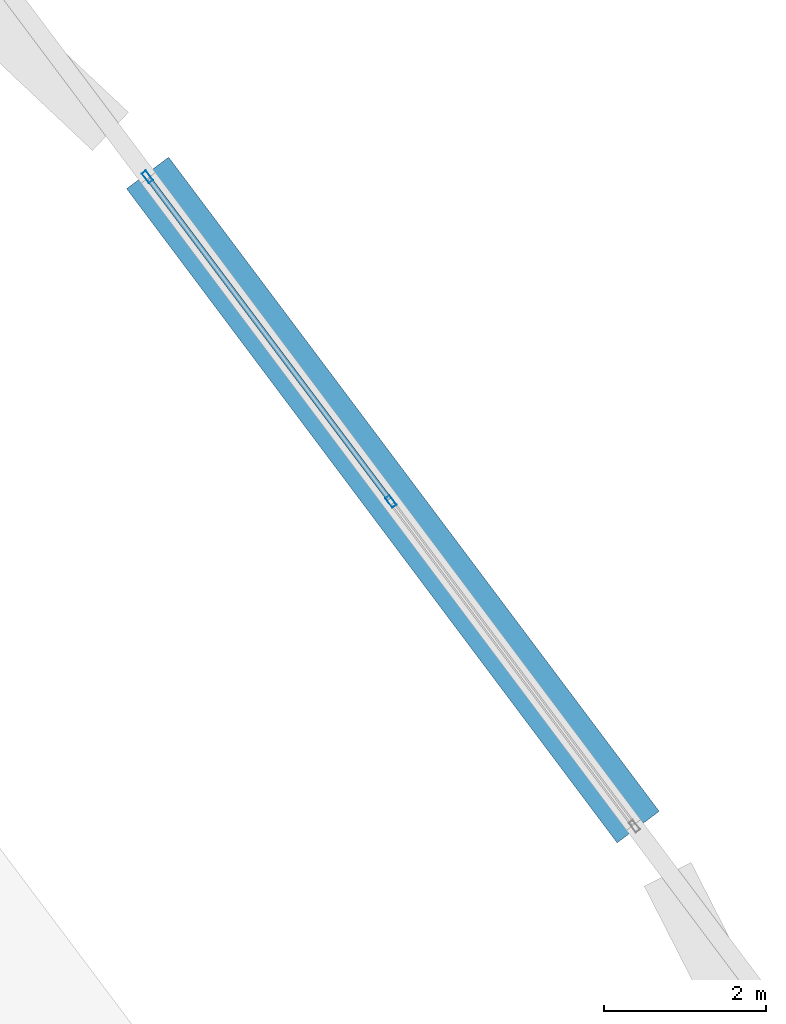
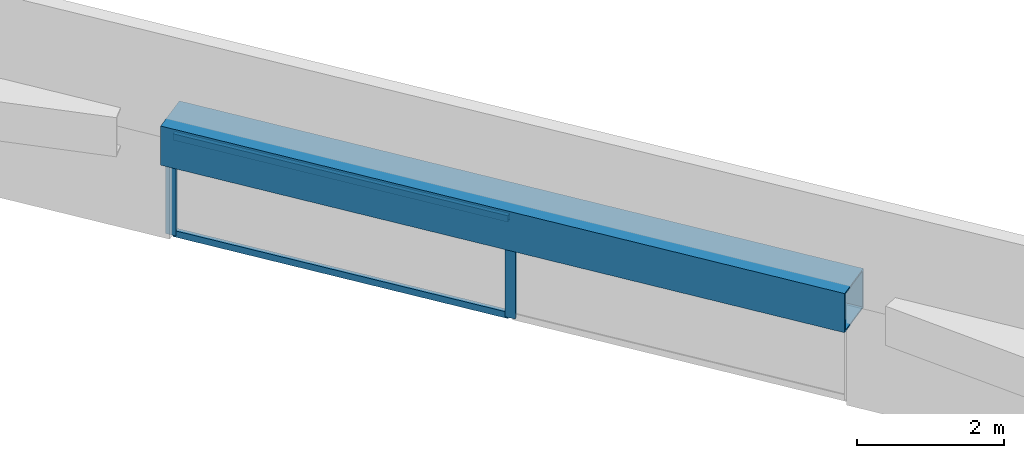
# One storey, part 22 of 31: 4 members, 1 beam, 1 element without a shape of its own.
"""IFC4 building model written with IfcOpenShell, lengths in metres."""

from ifc_helpers import new_model, si_unit, direction, frame, origin, origin_2d, place, context, subcontext, project, spatial, hollow_rectangle, extrude, material, material_profile, profile_set, type_object, element, aggregate, save


model = new_model("IFC4")

# Units and contexts
model_context = context("Model", 3, precision=1e-05, world=origin(), true_north=direction((0.0, 1.0)))
body_context = subcontext(model_context, "Body", "Model", "MODEL_VIEW")
ifc_project = project(units=[si_unit("LENGTHUNIT", "METRE"), si_unit("AREAUNIT", "SQUARE_METRE"), si_unit("VOLUMEUNIT", "CUBIC_METRE"), si_unit("PLANEANGLEUNIT", "RADIAN"), si_unit("MASSUNIT", "GRAM", prefix="KILO")], contexts=[model_context])

# Site, building, storey
site_placement = place(None, origin())
site = spatial("IfcSite", under=ifc_project, at=site_placement, CompositionType="ELEMENT")
building_placement = place(site_placement, origin())
building = spatial("IfcBuilding", under=site, at=building_placement, Name="Tashvorn Skyway Center", CompositionType="ELEMENT")
storey_placement = place(building_placement, frame((0.0, 0.0, 266.949951171875)))
storey = spatial("IfcBuildingStorey", under=building, at=storey_placement, Name="L72", CompositionType="ELEMENT", Elevation=266.949951171875)

# Beam
ifc_material_1 = material(Name="Steel ASTM A572 Grade 50", Category="steel")
ifc_material_profile_1 = material_profile(ifc_material_1, hollow_rectangle(XDim=0.64990234375, YDim=0.64990234375, WallThickness=0.02490234375, at=origin_2d()), Name="BOX650x650x25")
ifc_profile_set_1 = profile_set([ifc_material_profile_1], Name="Steel ASTM A572 Grade 50")
beam_type = type_object("IfcBeamType", Name="BM-BEAM-BOX650x650x25", PredefinedType="BEAM", material=ifc_profile_set_1)
beam_placement = place(storey_placement, frame((128.113037109375, 36.26611328125, 3.08349609375), z_axis=(-0.6, 0.8, 0.0), x_axis=(-0.8, -0.6, 0.0)))
element("IfcBeam", 1, at=beam_placement, inside=storey, type_object=beam_type, Name="CROWN FRAME Tower 2 Upper-Tier Ring Beam 05", PredefinedType="BEAM", context=body_context, shape_type="SweptSolid", body=[
    extrude(hollow_rectangle(XDim=0.64990234375, YDim=0.64990234375, WallThickness=0.02490234375, at=origin_2d()), origin(), (0.0, 0.0, 1.0), 10.10986328125),
])

# Curtain wall, members
ifc_material_2 = material(Name="Thermally broken bronze-anodized aluminium 6063-T6", Category="aluminium")
curtain_wall_type = type_object("IfcCurtainWallType", Name="CW-CW-SKY", PredefinedType="NOTDEFINED", material=ifc_material_2)
curtain_wall_placement = place(storey_placement, origin())
curtain_wall = element("IfcCurtainWall", 2, at=curtain_wall_placement, inside=storey, type_object=curtain_wall_type, Name="CROWN Lantern Fritted Curtain Wall T2 E-4", PredefinedType="NOTDEFINED")
ifc_material_profile_2 = material_profile(ifc_material_2, hollow_rectangle(XDim=0.06494140625, YDim=0.14990234375, WallThickness=0.00390625, at=origin_2d()), Name="ALU-MULL-65x150")
ifc_profile_set_2 = profile_set([ifc_material_profile_2], Name="Thermally broken bronze-anodized aluminium 6063-T6")
member_type_1 = type_object("IfcMemberType", Name="CWM-CW-SKY", PredefinedType="MULLION", material=ifc_profile_set_2)
member_1_placement = place(storey_placement, frame((122.04541015625, 44.305908203125, 1.445068359375), z_axis=(0.0, 0.0, 1.0), x_axis=(0.799999999998, 0.600000000002, 0.0)))
member_1 = element("IfcMember", 3, at=member_1_placement, type_object=member_type_1, Name="CW-SKY mullion 1", PredefinedType="MULLION", context=body_context, shape_type="SweptSolid", body=[
    extrude(hollow_rectangle(XDim=0.06494140625, YDim=0.14990234375, WallThickness=0.00390625, at=origin_2d()), origin(), (0.0, 0.0, 1.0), 1.6650390625),
])
member_2_placement = place(storey_placement, frame((125.055908203125, 40.2919921875, 1.445068359375), z_axis=(0.0, 0.0, 1.0), x_axis=(0.799999999998, 0.600000000002, 0.0)))
member_2 = element("IfcMember", 4, at=member_2_placement, type_object=member_type_1, Name="CW-SKY mullion 2", PredefinedType="MULLION", context=body_context, shape_type="SweptSolid", body=[
    extrude(hollow_rectangle(XDim=0.06494140625, YDim=0.14990234375, WallThickness=0.00390625, at=origin_2d()), origin(), (0.0, 0.0, 1.0), 1.6650390625),
])
ifc_material_profile_3 = material_profile(ifc_material_2, hollow_rectangle(XDim=0.06494140625, YDim=0.10498046875, WallThickness=0.00390625, at=origin_2d()), Name="ALU-TRAN-65x105")
ifc_profile_set_3 = profile_set([ifc_material_profile_3], Name="Thermally broken bronze-anodized aluminium 6063-T6")
member_type_2 = type_object("IfcMemberType", Name="CWT-CW-SKY", PredefinedType="USERDEFINED", material=ifc_profile_set_3)
member_3_placement = place(storey_placement, frame((122.06494140625, 44.280029296875, 1.4775390625), z_axis=(0.600031549007, -0.799976337273, 0.0), x_axis=(0.799976337273, 0.600031549007, 0.0)))
member_3 = element("IfcMember", 5, at=member_3_placement, type_object=member_type_2, Name="CW-SKY transom 1.1", ObjectType="TRANSOM", PredefinedType="USERDEFINED", context=body_context, shape_type="SweptSolid", body=[
    extrude(hollow_rectangle(XDim=0.06494140625, YDim=0.10498046875, WallThickness=0.00390625, at=origin_2d()), origin(), (0.0, 0.0, 1.0), 4.95263671875),
])
member_4_placement = place(storey_placement, frame((122.06494140625, 44.280029296875, 3.07763671875), z_axis=(0.600031549007, -0.799976337273, 0.0), x_axis=(0.799976337273, 0.600031549007, 0.0)))
member_4 = element("IfcMember", 6, at=member_4_placement, type_object=member_type_2, Name="CW-SKY transom 1.2", ObjectType="TRANSOM", PredefinedType="USERDEFINED", context=body_context, shape_type="SweptSolid", body=[
    extrude(hollow_rectangle(XDim=0.06494140625, YDim=0.10498046875, WallThickness=0.00390625, at=origin_2d()), origin(), (0.0, 0.0, 1.0), 4.95263671875),
])
aggregate(curtain_wall, [member_1, member_2, member_3, member_4])

save(model, "model.ifc")
